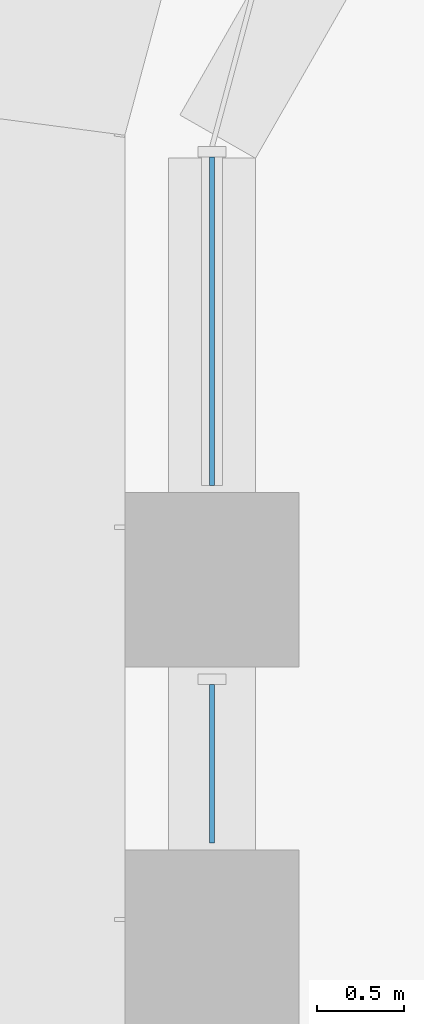
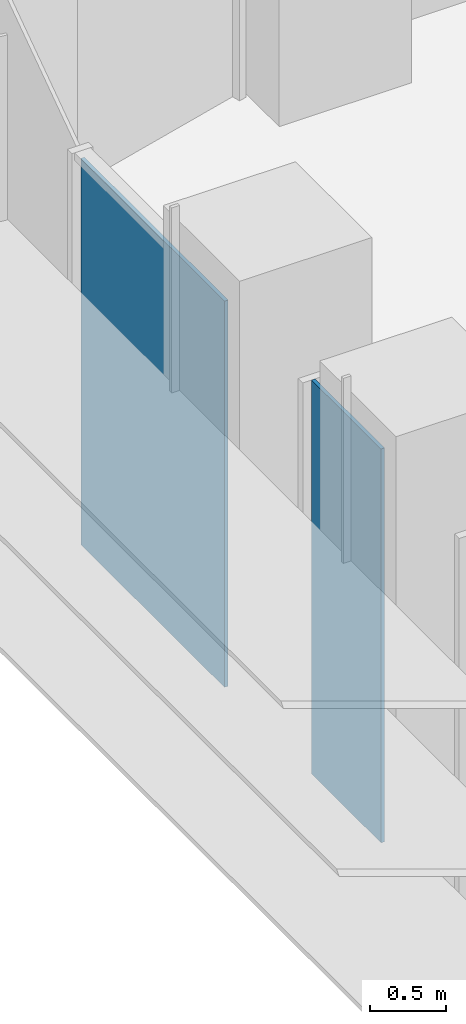
# One storey, part 14 of 23: 2 plates, 1 element without a shape of its own.
"""IFC4 building model written with IfcOpenShell, lengths in metres."""

from ifc_helpers import new_model, si_unit, direction, frame, origin, place, context, subcontext, project, spatial, polyline, outline, extrude, source, transform, mapped, material, layer, layer_set, type_object, element, aggregate, save


model = new_model("IFC4")

# Units and contexts
model_context = context("Model", 3, precision=1e-05, world=origin(), true_north=direction((0.0, 1.0)))
body_context = subcontext(model_context, "Body", "Model", "MODEL_VIEW")
ifc_project = project(units=[si_unit("LENGTHUNIT", "METRE"), si_unit("AREAUNIT", "SQUARE_METRE"), si_unit("VOLUMEUNIT", "CUBIC_METRE"), si_unit("PLANEANGLEUNIT", "RADIAN"), si_unit("MASSUNIT", "GRAM", prefix="KILO")], contexts=[model_context])

# Site, building, storey
site_placement = place(None, origin())
site = spatial("IfcSite", under=ifc_project, at=site_placement, CompositionType="ELEMENT")
building_placement = place(site_placement, origin())
building = spatial("IfcBuilding", under=site, at=building_placement, Name="Zarbagh Exchange Tower", CompositionType="ELEMENT")
storey_placement = place(building_placement, frame((0.0, 0.0, 77.39990234375)))
storey = spatial("IfcBuildingStorey", under=building, at=storey_placement, Name="L17", CompositionType="ELEMENT", Elevation=77.39990234375)

# Curtain wall, plates
ifc_material_1 = material(Name="Anodised aluminium frame and glazing", Category="aluminium")
curtain_wall_type = type_object("IfcCurtainWallType", Name="CWA Ribbon glazing, lower zones", PredefinedType="NOTDEFINED", material=ifc_material_1)
curtain_wall_placement = place(storey_placement, origin())
curtain_wall = element("IfcCurtainWall", 1, at=curtain_wall_placement, inside=storey, type_object=curtain_wall_type, Name="CWA28 curtain wall", PredefinedType="NOTDEFINED")
ifc_material_2 = material(Name="Low-e double glazed unit, 6+12+6 mm")
ifc_layer = layer(ifc_material_2, 0.028076171875)
ifc_layer_set = layer_set([ifc_layer], Name="PAA Glazing panel, Low-e double glazed unit, 6+12+6 mm")
plate_type = type_object("IfcPlateType", Name="PAA Glazing panel, Low-e double glazed unit, 6+12+6 mm", PredefinedType="CURTAIN_PANEL", material=ifc_layer_set)
shared_shape_1 = source(origin(), body_context, "Body", "SweptSolid", [
    extrude(outline(polyline([(0.0, -0.013916015625), (0.909912109375, -0.013916015625), (0.909912109375, 0.013916015625), (0.0, 0.013916015625), (0.0, -0.013916015625)])), origin(), (0.0, 0.0, 1.0), 3.14990234375),
])
placement = place(storey_placement, origin())
plate_1 = element("IfcPlate", 2, at=placement, type_object=plate_type, Name="CWA28 glazing panel 2.1", PredefinedType="CURTAIN_PANEL", context=body_context, shape_type="MappedRepresentation", body=[
    mapped(shared_shape_1, transform((-6.25, 26.099853515625, 0.0), x_axis=(0.0, -1.0, 0.0), y_axis=(1.0, 0.0, 0.0), z_axis=(0.0, 0.0, 1.0))),
])
shared_shape_2 = source(origin(), body_context, "Body", "SweptSolid", [
    extrude(outline(polyline([(0.0, -0.013916015625), (1.88427734375, -0.013916015625), (1.88427734375, 0.013916015625), (0.0, 0.013916015625), (0.0, -0.013916015625)])), origin(), (0.0, 0.0, 1.0), 3.090087890625),
])
plate_2 = element("IfcPlate", 3, at=placement, type_object=plate_type, Name="CWA28 glazing panel 1.1", PredefinedType="CURTAIN_PANEL", context=body_context, shape_type="MappedRepresentation", body=[
    mapped(shared_shape_2, transform((-6.25, 29.124267578125, 0.0), x_axis=(0.0, -1.0, 0.0), y_axis=(1.0, 0.0, 0.0), z_axis=(0.0, 0.0, 1.0))),
])
aggregate(curtain_wall, [plate_2, plate_1])

save(model, "model.ifc")
